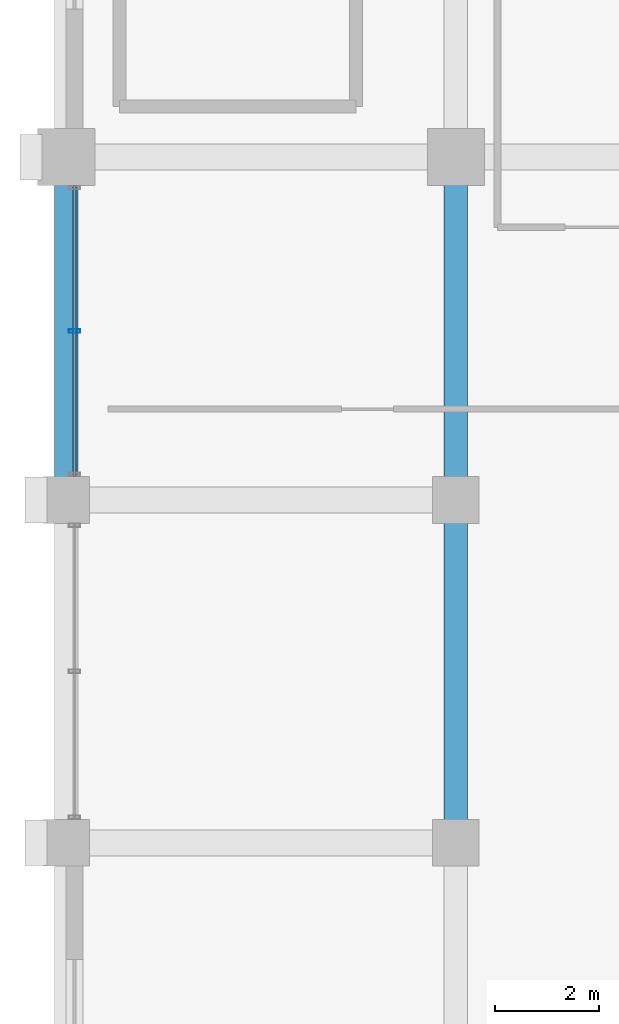
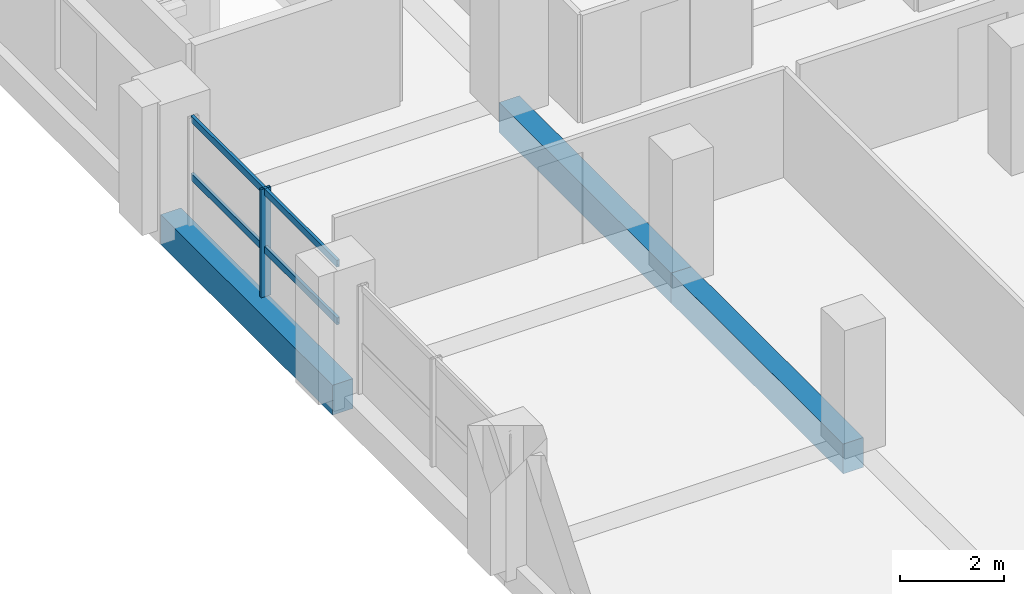
# One storey, part 5 of 22: 3 beams, 3 members, 1 element without a shape of its own.
"""IFC4 building model written with IfcOpenShell, lengths in metres."""

import ifcopenshell
import ifcopenshell.guid

model = None  # the IFC model being written
_history = None  # IfcOwnerHistory: only IFC2X3 demands one
_inside = {}  # id of a spatial element -> (the spatial element, [elements in it])
_under = {}  # id of a project, library or spatial element -> (it, [spatial elements below it])
_declared = {}  # id of a project -> (the project, [libraries it declares])
_typed = {}  # id of a type object -> (the type object, [elements of that type])
_made_of = {}  # id of a material, layer set ... -> (it, [elements and type objects made of it])


def new_model(schema):
    """Start an empty IFC model of exactly this schema.

    Asked for "IFC4X3", IfcOpenShell would pick the latest addendum, in which some entities
    have other attributes; the version numbers below select the first issue.
    IFC2X3 requires an IfcOwnerHistory on every rooted entity: one is made here for all.
    """
    global model, _history
    if schema == "IFC4X3":
        model = ifcopenshell.file(schema_version=(4, 3, 0, 0))
    else:
        model = ifcopenshell.file(schema=schema)
    _inside.clear()
    _under.clear()
    _declared.clear()
    _typed.clear()
    _made_of.clear()
    _history = None
    if model.schema == "IFC2X3":
        org = make("IfcOrganization", Name="unknown")
        user = make(
            "IfcPersonAndOrganization",
            ThePerson=make("IfcPerson", FamilyName="unknown"),
            TheOrganization=org,
        )
        app = make(
            "IfcApplication",
            ApplicationDeveloper=org,
            Version="unknown",
            ApplicationFullName="unknown",
            ApplicationIdentifier="unknown",
        )
        _history = make(
            "IfcOwnerHistory",
            OwningUser=user,
            OwningApplication=app,
            ChangeAction="ADDED",
            CreationDate=0,
        )
    return model


def make(cls, **values):
    """One entity of the class cls with the attributes given. An attribute that is None is left unset."""
    return model.create_entity(
        cls, **{name: value for name, value in values.items() if value is not None}
    )


def rooted(cls, **values):
    """An entity with a GlobalId (a new one), such as an element, a storey or a relation."""
    return make(cls, GlobalId=ifcopenshell.guid.new(), OwnerHistory=_history, **values)


def si_unit(unit_type, name, prefix=None):
    """IfcSIUnit, for example si_unit("LENGTHUNIT", "METRE", prefix="MILLI")."""
    return make("IfcSIUnit", UnitType=unit_type, Prefix=prefix, Name=name)


def assignment(units):
    """IfcUnitAssignment: the units of a project."""
    return None if units is None else make("IfcUnitAssignment", Units=units)


def point(xyz):
    """IfcCartesianPoint."""
    return None if xyz is None else make("IfcCartesianPoint", Coordinates=xyz)


def direction(xyz):
    """IfcDirection."""
    return None if xyz is None else make("IfcDirection", DirectionRatios=xyz)


def frame(location, z_axis=None, x_axis=None):
    """IfcAxis2Placement3D, a coordinate frame: its origin and axes. An axis left out is left unset."""
    return make(
        "IfcAxis2Placement3D",
        Location=point(location),
        Axis=direction(z_axis),
        RefDirection=direction(x_axis),
    )


def frame_2d(location, x_axis=None):
    """IfcAxis2Placement2D, a coordinate frame in the plane: its origin and x axis."""
    return make(
        "IfcAxis2Placement2D", Location=point(location), RefDirection=direction(x_axis)
    )


def origin():
    """The frame at (0, 0, 0) with its axes left unset."""
    return frame((0.0, 0.0, 0.0))


def origin_2d():
    """The frame at (0, 0) in the plane with its x axis left unset."""
    return frame_2d((0.0, 0.0))


def place(relative_to, where):
    """IfcLocalPlacement: puts the frame where relative to a parent placement (None: the world)."""
    return make(
        "IfcLocalPlacement", PlacementRelTo=relative_to, RelativePlacement=where
    )


def context(
    kind, dimensions, precision=None, world=None, true_north=None, identifier=None
):
    """IfcGeometricRepresentationContext, for example the 3D "Model" context."""
    return make(
        "IfcGeometricRepresentationContext",
        ContextIdentifier=identifier,
        ContextType=kind,
        CoordinateSpaceDimension=dimensions,
        Precision=precision,
        WorldCoordinateSystem=world,
        TrueNorth=true_north,
    )


def subcontext(parent, identifier, kind, view, scale=None):
    """IfcGeometricRepresentationSubContext, for example "Body" below "Model"."""
    return make(
        "IfcGeometricRepresentationSubContext",
        ContextIdentifier=identifier,
        ContextType=kind,
        ParentContext=parent,
        TargetScale=scale,
        TargetView=view,
    )


def project(units=None, contexts=None):
    """IfcProject with its units and contexts."""
    return rooted(
        "IfcProject",
        Name="project",
        RepresentationContexts=contexts,
        UnitsInContext=assignment(units),
    )


def spatial(cls, under=None, at=None, **own):
    """A site, building, storey or space (cls), placed at a placement, below another one or the project."""
    s = rooted(cls, ObjectPlacement=at, **own)
    if under is not None:
        _under.setdefault(under.id(), (under, []))[1].append(s)
    return s


def profile(cls, at=None, kind="AREA", **sizes):
    """A parametric profile (cls). Its sizes go by their IFC names, for example OverallWidth=200.0."""
    return make(cls, ProfileType=kind, Position=at, **sizes)


def rectangle(**sizes):
    """IfcRectangleProfileDef."""
    return profile("IfcRectangleProfileDef", **sizes)


def hollow_rectangle(**sizes):
    """IfcRectangleHollowProfileDef."""
    return profile("IfcRectangleHollowProfileDef", **sizes)


def extrude(swept, where, along, depth):
    """IfcExtrudedAreaSolid: the profile swept, set in the frame where, extruded along a direction by depth."""
    return make(
        "IfcExtrudedAreaSolid",
        SweptArea=swept,
        Position=where,
        ExtrudedDirection=direction(along),
        Depth=depth,
    )


def shape(context_of_items, identifier, shape_type, items):
    """IfcShapeRepresentation: the items that make up one representation, for example the "Body"."""
    return make(
        "IfcShapeRepresentation",
        ContextOfItems=context_of_items,
        RepresentationIdentifier=identifier,
        RepresentationType=shape_type,
        Items=items,
    )


def material(Name=None, Category=None):
    """IfcMaterial."""
    return make("IfcMaterial", Name=Name, Category=Category)


def material_profile(
    of_material, cross_section, Name=None, Category=None, Priority=None
):
    """IfcMaterialProfile: a cross section and its material."""
    return make(
        "IfcMaterialProfile",
        Name=Name,
        Material=of_material,
        Profile=cross_section,
        Priority=Priority,
        Category=Category,
    )


def profile_set(profiles, Name=None, composite=None):
    """IfcMaterialProfileSet."""
    return make(
        "IfcMaterialProfileSet",
        Name=Name,
        MaterialProfiles=profiles,
        CompositeProfile=composite,
    )


def made_of(thing, what):
    """Note that an element or type object is made of a material, layer set ...; save() writes the relation."""
    if what is not None:
        _made_of.setdefault(what.id(), (what, []))[1].append(thing)
    return thing


def type_object(cls, material=None, **own):
    """A type object (cls), such as IfcWallType, which elements share."""
    return made_of(rooted(cls, **own), material)


def element(
    cls,
    number,
    at=None,
    inside=None,
    cuts=None,
    type_object=None,
    material=None,
    context=None,
    identifier="Body",
    shape_type=None,
    held_by="IfcProductDefinitionShape",
    body=None,
    shapes=None,
    **own,
):
    """One element of the class cls, such as IfcWall. Its Tag is "e" and its number.

    at: its placement. inside: the storey or other place that contains it. cuts: it is an
    opening in that element (IfcRelVoidsElement). A single representation is given by context,
    identifier, shape_type and body (its items); several are given by shapes. held_by: the class
    of the entity that holds the representations. save() writes the other relations.
    """
    e = rooted(cls, Tag="e%d" % number, ObjectPlacement=at, **own)
    if body is not None:
        shapes = [shape(context, identifier, shape_type, body)]
    if shapes is not None:
        e.Representation = make(held_by, Representations=shapes)
    if inside is not None:
        _inside.setdefault(inside.id(), (inside, []))[1].append(e)
    if cuts is not None:
        rooted(
            "IfcRelVoidsElement", RelatingBuildingElement=cuts, RelatedOpeningElement=e
        )
    if type_object is not None:
        _typed.setdefault(type_object.id(), (type_object, []))[1].append(e)
    return made_of(e, material)


def aggregate(whole, parts):
    """IfcRelAggregates: a whole, such as a stair, and the parts it consists of."""
    return rooted("IfcRelAggregates", RelatingObject=whole, RelatedObjects=parts)


def save(model, path):
    """Write the relations noted so far, then the file.

    IfcRelAggregates (storeys below a building ...), IfcRelContainedInSpatialStructure (elements
    in a storey), IfcRelDefinesByType, IfcRelAssociatesMaterial and IfcRelDeclares: one each for
    every whole, place, type object, material and project.
    """
    for whole, parts in _under.values():
        aggregate(whole, parts)
    for where, things in _inside.values():
        rooted(
            "IfcRelContainedInSpatialStructure",
            RelatedElements=things,
            RelatingStructure=where,
        )
    for kind, things in _typed.values():
        rooted("IfcRelDefinesByType", RelatedObjects=things, RelatingType=kind)
    for what, things in _made_of.values():
        rooted("IfcRelAssociatesMaterial", RelatedObjects=things, RelatingMaterial=what)
    for by, libraries in _declared.values():
        rooted("IfcRelDeclares", RelatingContext=by, RelatedDefinitions=libraries)
    model.write(path)


model = new_model("IFC4")

# Units and contexts
model_context = context("Model", 3, precision=1e-05, world=origin(), true_north=direction((0.0, 1.0)))
body_context = subcontext(model_context, "Body", "Model", "MODEL_VIEW")
ifc_project = project(units=[si_unit("LENGTHUNIT", "METRE"), si_unit("AREAUNIT", "SQUARE_METRE"), si_unit("VOLUMEUNIT", "CUBIC_METRE"), si_unit("PLANEANGLEUNIT", "RADIAN"), si_unit("MASSUNIT", "GRAM", prefix="KILO")], contexts=[model_context])

# Site, building, storey
site_placement = place(None, origin())
site = spatial("IfcSite", under=ifc_project, at=site_placement, CompositionType="ELEMENT")
building_placement = place(site_placement, origin())
building = spatial("IfcBuilding", under=site, at=building_placement, Name="Akrevak Sports Hall", CompositionType="ELEMENT")
storey_placement = place(building_placement, frame((0.0, 0.0, 30.800048828125)))
storey = spatial("IfcBuildingStorey", under=building, at=storey_placement, Name="L06", CompositionType="ELEMENT", Elevation=30.800048828125)

# Curtain wall, members
ifc_material_1 = material(Name="Anodized Bronze Aluminium & Low-E Glass", Category="aluminium")
curtain_wall_type = type_object("IfcCurtainWallType", Name="ARC-CW-TWR-64x30", PredefinedType="NOTDEFINED", material=ifc_material_1)
curtain_wall_placement = place(storey_placement, origin())
curtain_wall = element("IfcCurtainWall", 1, at=curtain_wall_placement, inside=storey, type_object=curtain_wall_type, Name="Curtain Wall CW-L06-W30", PredefinedType="NOTDEFINED")
ifc_material_2 = material(Name="Anodized Bronze Aluminium", Category="aluminium")
ifc_material_profile_1 = material_profile(ifc_material_2, hollow_rectangle(XDim=0.06494140625, YDim=0.219970703125, WallThickness=0.00439453125, at=origin_2d()), Name="CWM 65x220", Category="aluminium")
ifc_profile_set_1 = profile_set([ifc_material_profile_1], Name="Anodized Bronze Aluminium")
member_type_1 = type_object("IfcMemberType", Name="ARC-CWM-70x160", PredefinedType="MULLION", material=ifc_profile_set_1)
member_1_placement = place(storey_placement, frame((45.159912109375, 51.85009765625, 0.0), z_axis=(0.0, 0.0, 1.0), x_axis=(0.0, -1.0, 0.0)))
member_1 = element("IfcMember", 2, at=member_1_placement, type_object=member_type_1, Name="Curtain Wall Mullion CW-L06-W30-M2", PredefinedType="MULLION", context=body_context, shape_type="SweptSolid", body=[
    extrude(hollow_rectangle(XDim=0.06494140625, YDim=0.219970703125, WallThickness=0.00439453125, at=origin_2d()), origin(), (0.0, 0.0, 1.0), 2.530029296875),
])
ifc_material_profile_2 = material_profile(ifc_material_2, hollow_rectangle(XDim=0.06494140625, YDim=0.159912109375, WallThickness=0.00390625, at=origin_2d()), Name="CWT 65x160", Category="aluminium")
ifc_profile_set_2 = profile_set([ifc_material_profile_2], Name="Anodized Bronze Aluminium")
member_type_2 = type_object("IfcMemberType", Name="ARC-CWT-70x130", PredefinedType="USERDEFINED", material=ifc_profile_set_2)
member_2_placement = place(storey_placement, frame((45.159912109375, 54.64990234375, 1.099853515625), z_axis=(0.0, -1.0, 0.0), x_axis=(1.0, 0.0, 0.0)))
member_2 = element("IfcMember", 3, at=member_2_placement, type_object=member_type_2, Name="Curtain Wall Transom CW-L06-W30-T1", ObjectType="TRANSOM", PredefinedType="USERDEFINED", context=body_context, shape_type="SweptSolid", body=[
    extrude(hollow_rectangle(XDim=0.06494140625, YDim=0.159912109375, WallThickness=0.00390625, at=origin_2d()), origin(), (0.0, 0.0, 1.0), 5.599853515625),
])
member_3_placement = place(storey_placement, frame((45.159912109375, 54.64990234375, 2.449951171875), z_axis=(0.0, -1.0, 0.0), x_axis=(1.0, 0.0, 0.0)))
member_3 = element("IfcMember", 4, at=member_3_placement, type_object=member_type_2, Name="Curtain Wall Transom CW-L06-W30-T2", ObjectType="TRANSOM", PredefinedType="USERDEFINED", context=body_context, shape_type="SweptSolid", body=[
    extrude(hollow_rectangle(XDim=0.06494140625, YDim=0.159912109375, WallThickness=0.00390625, at=origin_2d()), origin(), (0.0, 0.0, 1.0), 5.599853515625),
])
aggregate(curtain_wall, [member_1, member_2, member_3])

# Beams
ifc_material_3 = material(Name="Concrete C40/50", Category="concrete")
ifc_material_profile_3 = material_profile(ifc_material_3, rectangle(XDim=0.449951171875, YDim=0.699951171875, at=origin_2d()), Name="BM 450x700", Category="concrete")
ifc_profile_set_3 = profile_set([ifc_material_profile_3], Name="Concrete C40/50")
beam_type = type_object("IfcBeamType", Name="STR-BM-RC450x700", PredefinedType="BEAM", material=ifc_profile_set_3)
beam_1_placement = place(storey_placement, frame((45.0, 48.60009765625, -0.35009765625), z_axis=(0.0, 1.0, 0.0), x_axis=(-1.0, 0.0, 0.0)))
element("IfcBeam", 5, at=beam_1_placement, inside=storey, type_object=beam_type, Name="Girder 7/H-I (L06)", PredefinedType="BEAM", context=body_context, shape_type="SweptSolid", body=[
    extrude(rectangle(XDim=0.449951171875, YDim=0.699951171875, at=origin_2d()), origin(), (0.0, 0.0, 1.0), 6.599853515625),
])
beam_2_placement = place(storey_placement, frame((52.5, 42.0, -0.35009765625), z_axis=(0.0, 1.0, 0.0), x_axis=(-1.0, 0.0, 0.0)))
element("IfcBeam", 6, at=beam_2_placement, inside=storey, type_object=beam_type, Name="Girder 8/G-H (L06)", PredefinedType="BEAM", context=body_context, shape_type="SweptSolid", body=[
    extrude(rectangle(XDim=0.449951171875, YDim=0.699951171875, at=origin_2d()), origin(), (0.0, 0.0, 1.0), 6.60009765625),
])
beam_3_placement = place(storey_placement, frame((52.5, 48.60009765625, -0.35009765625), z_axis=(0.0, 1.0, 0.0), x_axis=(-1.0, 0.0, 0.0)))
element("IfcBeam", 7, at=beam_3_placement, inside=storey, type_object=beam_type, Name="Girder 8/H-I (L06)", PredefinedType="BEAM", context=body_context, shape_type="SweptSolid", body=[
    extrude(rectangle(XDim=0.449951171875, YDim=0.699951171875, at=origin_2d()), origin(), (0.0, 0.0, 1.0), 6.599853515625),
])

save(model, "model.ifc")
